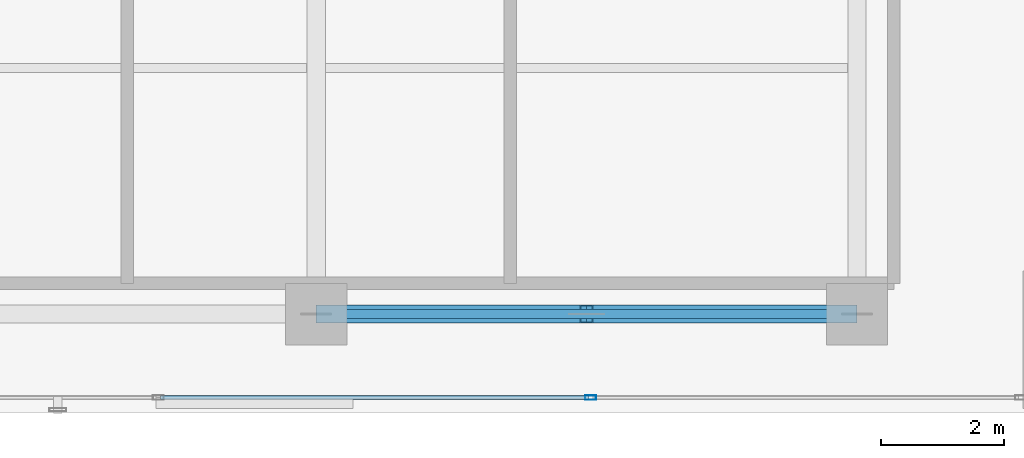
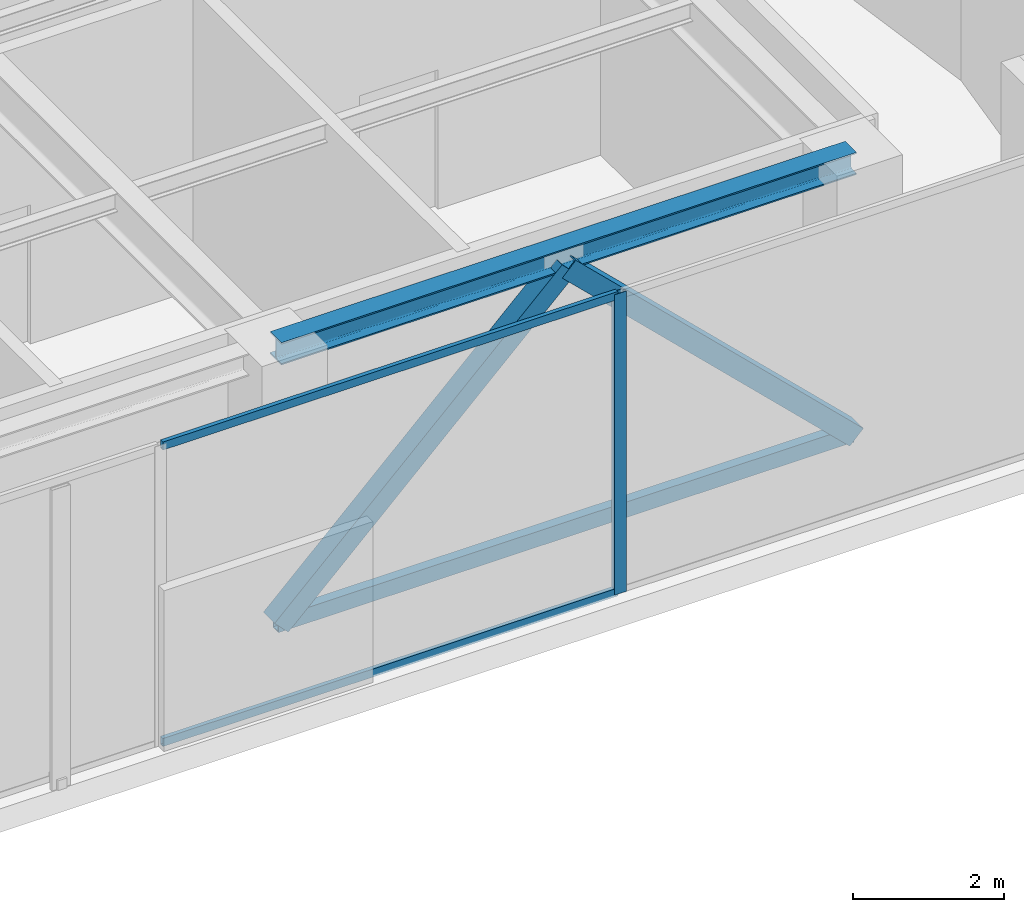
# One storey, part 15 of 31: 6 members, 1 beam, 1 element without a shape of its own.
"""IFC4 building model written with IfcOpenShell, lengths in metres."""

from ifc_helpers import new_model, si_unit, direction, frame, origin, origin_with_axes, origin_2d, place, context, subcontext, project, spatial, hollow_rectangle, i_section, extrude, source, transform, mapped, material, layer, layer_set, material_profile, profile_set, type_object, element, aggregate, save


model = new_model("IFC4")

# Units and contexts
model_context = context("Model", 3, precision=1e-05, world=origin(), true_north=direction((0.0, 1.0)))
body_context = subcontext(model_context, "Body", "Model", "MODEL_VIEW")
ifc_project = project(units=[si_unit("LENGTHUNIT", "METRE"), si_unit("AREAUNIT", "SQUARE_METRE"), si_unit("VOLUMEUNIT", "CUBIC_METRE"), si_unit("PLANEANGLEUNIT", "RADIAN"), si_unit("MASSUNIT", "GRAM", prefix="KILO")], contexts=[model_context])

# Site, building, storey
site_placement = place(None, origin())
site = spatial("IfcSite", under=ifc_project, at=site_placement, CompositionType="ELEMENT")
building_placement = place(site_placement, origin())
building = spatial("IfcBuilding", under=site, at=building_placement, Name="Kolvaren Waterfront Exchange", CompositionType="ELEMENT")
storey_placement = place(building_placement, frame((0.0, 0.0, 257.699951171875)))
storey = spatial("IfcBuildingStorey", under=building, at=storey_placement, Name="L66", CompositionType="ELEMENT", Elevation=257.699951171875)

# Beam
ifc_material_1 = material(Name="Steel S355", Category="steel")
ifc_material_profile_1 = material_profile(ifc_material_1, i_section(OverallWidth=0.300048828125, OverallDepth=0.360107421875, WebThickness=0.012451171875, FlangeThickness=0.0224609375, FilletRadius=0.027099609375, at=origin_2d()), Name="HEB360")
ifc_profile_set_1 = profile_set([ifc_material_profile_1], Name="Steel S355")
beam_type = type_object("IfcBeamType", Name="STR-BM-HEB360", PredefinedType="SPANDREL", material=ifc_profile_set_1)
beam_placement = place(storey_placement, frame((36.800048828125, 5.199951171875, 4.679931640625), z_axis=(1.0, 0.0, 0.0), x_axis=(0.0, 1.0, 0.0)))
element("IfcBeam", 1, at=beam_placement, inside=storey, type_object=beam_type, Name="L66 east-arm spandrel S3", PredefinedType="SPANDREL", context=body_context, shape_type="SweptSolid", body=[
    extrude(i_section(OverallWidth=0.300048828125, OverallDepth=0.360107421875, WebThickness=0.012451171875, FlangeThickness=0.0224609375, FilletRadius=0.027099609375, at=origin_2d()), origin(), (0.0, 0.0, 1.0), 8.800048828125),
])

# Members
ifc_material_2 = material(Name="Steel S460", Category="steel")
ifc_material_profile_2 = material_profile(ifc_material_2, hollow_rectangle(XDim=0.14990234375, YDim=0.25, WallThickness=0.010009765625, at=origin_2d()), Name="RHS250x150x10")
ifc_profile_set_2 = profile_set([ifc_material_profile_2], Name="Steel S460")
member_type_1 = type_object("IfcMemberType", Name="STR-BR-RHS250", PredefinedType="CHORD", material=ifc_profile_set_2)
member_1_placement = place(storey_placement, frame((36.800048828125, 5.199951171875, 0.25), z_axis=(1.0, 0.0, 0.0), x_axis=(0.0, 1.0, 0.0)))
element("IfcMember", 2, at=member_1_placement, inside=storey, type_object=member_type_1, Name="L66 belt-truss bottom chord BT3", PredefinedType="CHORD", context=body_context, shape_type="SweptSolid", body=[
    extrude(hollow_rectangle(XDim=0.14990234375, YDim=0.25, WallThickness=0.010009765625, at=origin_2d()), origin(), (0.0, 0.0, 1.0), 8.800048828125),
])
ifc_material_profile_3 = material_profile(ifc_material_1, hollow_rectangle(XDim=0.300048828125, YDim=0.300048828125, WallThickness=0.01611328125, at=origin_2d()), Name="SHS300x300x16")
ifc_profile_set_3 = profile_set([ifc_material_profile_3], Name="Steel S355")
member_type_2 = type_object("IfcMemberType", Name="STR-BR-SHS300", PredefinedType="BRACE", material=ifc_profile_set_3)
member_2_placement = place(storey_placement, frame((36.800048828125, 5.199951171875, 0.25), z_axis=(0.718435680477, 0.0, 0.695593396329), x_axis=(0.0, 1.0, 0.0)))
element("IfcMember", 3, at=member_2_placement, inside=storey, type_object=member_type_2, Name="L66 belt-truss chevron brace BT3L", PredefinedType="BRACE", context=body_context, shape_type="SweptSolid", body=[
    extrude(hollow_rectangle(XDim=0.300048828125, YDim=0.300048828125, WallThickness=0.01611328125, at=origin_2d()), origin(), (0.0, 0.0, 1.0), 6.124267578125),
])
member_3_placement = place(storey_placement, frame((45.60009765625, 5.199951171875, 0.25), z_axis=(-0.718454968031, 0.0, 0.695573474847), x_axis=(0.0, -1.0, 0.0)))
element("IfcMember", 4, at=member_3_placement, inside=storey, type_object=member_type_2, Name="L66 belt-truss chevron brace BT3R", PredefinedType="BRACE", context=body_context, shape_type="SweptSolid", body=[
    extrude(hollow_rectangle(XDim=0.300048828125, YDim=0.300048828125, WallThickness=0.01611328125, at=origin_2d()), origin(), (0.0, 0.0, 1.0), 6.12451171875),
])

# Curtain wall, members
ifc_material_3 = material(Name="Anodised dark bronze spandrel aluminium", Category="aluminium")
ifc_layer = layer(ifc_material_3, 0.219970703125, Name="Anodised dark bronze spandrel aluminium")
ifc_layer_set = layer_set([ifc_layer], Name="Anodised dark bronze spandrel aluminium")
curtain_wall_type = type_object("IfcCurtainWallType", Name="ARC-CW-SYS6", PredefinedType="USERDEFINED", material=ifc_layer_set)
curtain_wall_placement = place(storey_placement, origin())
curtain_wall = element("IfcCurtainWall", 5, at=curtain_wall_placement, inside=storey, type_object=curtain_wall_type, Name="L66 stick curtain wall CW6 (CW-L66-S)", ObjectType="STICK CURTAIN WALL", PredefinedType="USERDEFINED")
ifc_material_4 = material(Name="Anodised bronze aluminium 6063-T6", Category="aluminium")
ifc_material_profile_4 = material_profile(ifc_material_4, hollow_rectangle(XDim=0.074951171875, YDim=0.179931640625, WallThickness=0.00439453125, at=origin_2d()), Name="ALU-MUL-180x75x4.5")
ifc_profile_set_4 = profile_set([ifc_material_profile_4], Name="Anodised bronze aluminium 6063-T6")
member_type_3 = type_object("IfcMemberType", Name="ARC-CWM-180", PredefinedType="MULLION", material=ifc_profile_set_4)
shared_shape_1 = source(origin_with_axes(), body_context, "Body", "SweptSolid", [
    extrude(hollow_rectangle(XDim=0.074951171875, YDim=0.179931640625, WallThickness=0.00439453125, at=origin_2d()), origin(), (0.0, 0.0, 1.0), 4.860107421875),
])
member_4_placement = place(storey_placement, frame((41.2666015625, 3.840087890625, 0.0), z_axis=(0.0, 0.0, 1.0), x_axis=(0.0, 1.0, 0.0)))
member_4 = element("IfcMember", 6, at=member_4_placement, type_object=member_type_3, Name="CW6 mullion 6", PredefinedType="MULLION", context=body_context, shape_type="MappedRepresentation", body=[
    mapped(shared_shape_1, transform((0.0, 0.0, 0.0), x_axis=(1.0, 0.0, 0.0), y_axis=(0.0, 1.0, 0.0), z_axis=(0.0, 0.0, 1.0), scale=1.0)),
])
ifc_material_profile_5 = material_profile(ifc_material_4, hollow_rectangle(XDim=0.06494140625, YDim=0.1298828125, WallThickness=0.00390625, at=origin_2d()), Name="ALU-TRN-130x65x4")
ifc_profile_set_5 = profile_set([ifc_material_profile_5], Name="Anodised bronze aluminium 6063-T6")
member_type_4 = type_object("IfcMemberType", Name="ARC-CWT-130", PredefinedType="USERDEFINED", material=ifc_profile_set_5)
shared_shape_2 = source(origin_with_axes(), body_context, "Body", "SweptSolid", [
    extrude(hollow_rectangle(XDim=0.06494140625, YDim=0.1298828125, WallThickness=0.00390625, at=origin_2d()), origin(), (0.0, 0.0, 1.0), 6.95849609375),
])
member_5_placement = place(storey_placement, frame((34.270751953125, 3.840087890625, 0.032470703125), z_axis=(1.0, 0.0, 0.0), x_axis=(0.0, 1.0, 0.0)))
member_5 = element("IfcMember", 7, at=member_5_placement, type_object=member_type_4, Name="CW6 transom 5.1", ObjectType="TRANSOM", PredefinedType="USERDEFINED", context=body_context, shape_type="MappedRepresentation", body=[
    mapped(shared_shape_2, transform((0.0, 0.0, 0.0), x_axis=(1.0, 0.0, 0.0), y_axis=(0.0, 1.0, 0.0), z_axis=(0.0, 0.0, 1.0), scale=1.0)),
])
member_6_placement = place(storey_placement, frame((34.270751953125, 3.840087890625, 4.82763671875), z_axis=(1.0, 0.0, 0.0), x_axis=(0.0, 1.0, 0.0)))
member_6 = element("IfcMember", 8, at=member_6_placement, type_object=member_type_4, Name="CW6 transom 5.2", ObjectType="TRANSOM", PredefinedType="USERDEFINED", context=body_context, shape_type="MappedRepresentation", body=[
    mapped(shared_shape_2, transform((0.0, 0.0, 0.0), x_axis=(1.0, 0.0, 0.0), y_axis=(0.0, 1.0, 0.0), z_axis=(0.0, 0.0, 1.0), scale=1.0)),
])
aggregate(curtain_wall, [member_4, member_5, member_6])

save(model, "model.ifc")
